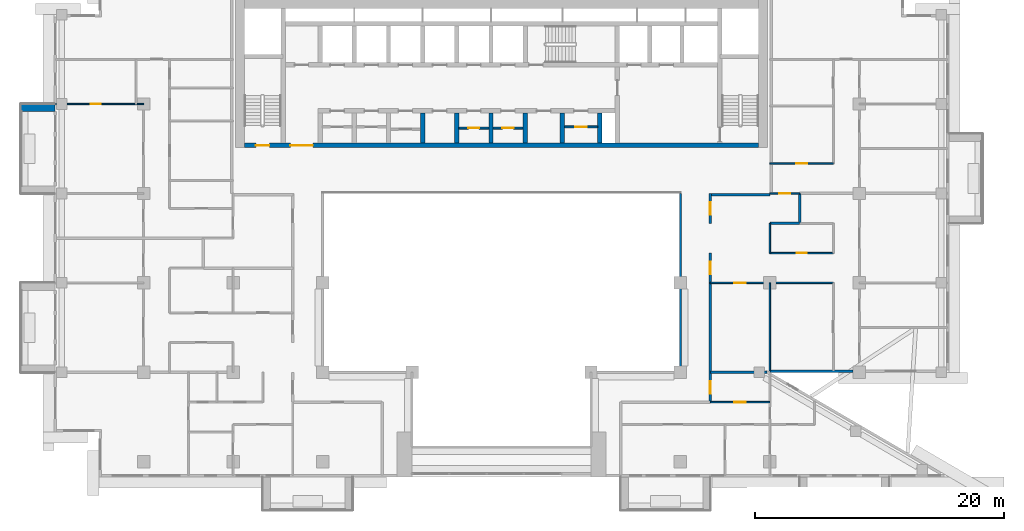
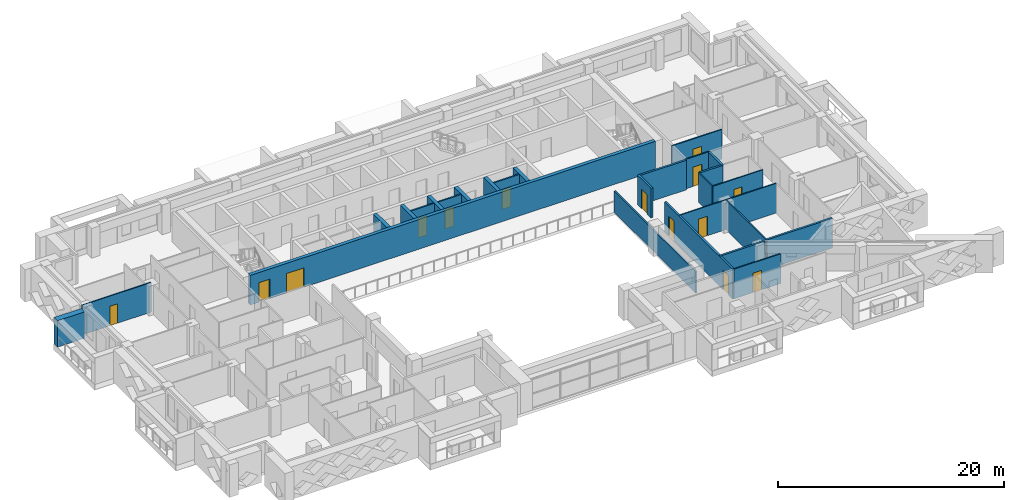
# One storey, part 9 of 20: 27 walls, 14 doors, 14 openings.
"""IFC4 building model written with IfcOpenShell, lengths in metres."""

from ifc_helpers import new_model, si_unit, direction, frame, frame_2d, origin, place, context, subcontext, project, spatial, rectangle, extrude, material, layer, layer_set, type_object, element, fill, save


model = new_model("IFC4")

# Units and contexts
model_context = context("Model", 3, precision=1e-05, world=origin(), true_north=direction((0.0, 1.0)))
body_context = subcontext(model_context, "Body", "Model", "MODEL_VIEW")
ifc_project = project(units=[si_unit("LENGTHUNIT", "METRE"), si_unit("AREAUNIT", "SQUARE_METRE"), si_unit("VOLUMEUNIT", "CUBIC_METRE"), si_unit("PLANEANGLEUNIT", "RADIAN"), si_unit("MASSUNIT", "GRAM", prefix="KILO")], contexts=[model_context])

# Site, building, storey
site_placement = place(None, origin())
site = spatial("IfcSite", under=ifc_project, at=site_placement, CompositionType="ELEMENT")
building_placement = place(site_placement, origin())
building = spatial("IfcBuilding", under=site, at=building_placement, Name="Saffron Iwan Residences", CompositionType="ELEMENT")
storey_placement = place(building_placement, frame((0.0, 0.0, 153.5)))
storey = spatial("IfcBuildingStorey", under=building, at=storey_placement, Name="L40", CompositionType="ELEMENT", Elevation=153.5)

# Walls
ifc_material_1 = material(Name="Fire-rated glazing", Category="glass")
ifc_layer_1 = layer(ifc_material_1, 0.14990234375)
ifc_layer_set_1 = layer_set([ifc_layer_1], Name="Fire-rated glazing")
wall_type_1 = type_object("IfcWallType", Name="Atrium glazed screen 150", PredefinedType="SOLIDWALL", material=ifc_layer_set_1)
wall_1_placement = place(storey_placement, frame((64.800048828125, 48.0, 0.0), z_axis=(0.0, 0.0, 1.0), x_axis=(0.0, 1.0, 0.0)))
element("IfcWall", 1, at=wall_1_placement, inside=storey, type_object=wall_type_1, Name="W-L40-SCREEN-v64.8-48", PredefinedType="SOLIDWALL", context=body_context, shape_type="SweptSolid", body=[
    extrude(rectangle(XDim=14.39990234375, YDim=0.14990234375, at=frame_2d((7.199951171875, 0.0))), origin(), (0.0, 0.0, 1.0), 2.300048828125),
])
ifc_material_2 = material(Name="Concrete C50/60 white painted", Category="concrete")
ifc_layer_2 = layer(ifc_material_2, 0.60009765625)
ifc_layer_set_2 = layer_set([ifc_layer_2], Name="Concrete C50/60 white painted")
wall_type_2 = type_object("IfcWallType", Name="BALCONY FIN 600", PredefinedType="SOLIDWALL", material=ifc_layer_set_2)
wall_2_placement = place(storey_placement, frame((14.47509765625, 69.300048828125, 0.0), z_axis=(0.0, 0.0, 1.0), x_axis=(-1.0, 0.0, 0.0)))
element("IfcWall", 2, at=wall_2_placement, inside=storey, type_object=wall_type_2, Name="Balcony fin L40 F8-0a", PredefinedType="SOLIDWALL", context=body_context, shape_type="SweptSolid", body=[
    extrude(rectangle(XDim=2.775146484375, YDim=0.60009765625, at=frame_2d((1.3876953125, 0.0))), origin(), (0.0, 0.0, 1.0), 2.85009765625),
])

# Wall, opening, door
ifc_material_3 = material(Name="Fire-rated plasterboard partition")
ifc_layer_3 = layer(ifc_material_3, 0.14990234375)
ifc_layer_set_3 = layer_set([ifc_layer_3], Name="Fire-rated plasterboard partition")
wall_type_3 = type_object("IfcWallType", Name="Core partition 150", PredefinedType="PARTITIONING", material=ifc_layer_set_3)
wall_3_placement = place(storey_placement, frame((46.97509765625, 67.66259765625, 0.0), z_axis=(0.0, 0.0, 1.0), x_axis=(1.0, 0.0, 0.0)))
wall_3 = element("IfcWall", 3, at=wall_3_placement, inside=storey, type_object=wall_type_3, Name="Core partition P04", PredefinedType="PARTITIONING", context=body_context, shape_type="SweptSolid", body=[
    extrude(rectangle(XDim=2.39990234375, YDim=0.14990234375, at=frame_2d((1.199951171875, 0.0))), origin(), (0.0, 0.0, 1.0), 3.199951171875),
])
opening_1_placement = place(wall_3_placement, frame((0.75, 0.0, 0.0)))
opening_1 = element("IfcOpeningElement", 4, at=opening_1_placement, cuts=wall_3, Name="Opening SB", PredefinedType="OPENING", context=body_context, shape_type="SweptSolid", body=[
    extrude(rectangle(XDim=0.89990234375, YDim=2.10009765625, at=frame_2d((0.449951171875, 1.050048828125))), frame((0.0, 0.0849609375, 0.0), z_axis=(0.0, -1.0, 0.0), x_axis=(1.0, 0.0, 0.0)), (0.0, 0.0, 1.0), 0.169921875),
])
ifc_material_4 = material(Name="Steel fire door", Category="steel")
door_type_1 = type_object("IfcDoorType", Name="Store door 900", OperationType="NOTDEFINED", PredefinedType="DOOR", material=ifc_material_4)
door_1_placement = place(opening_1_placement, origin())
door_1 = element("IfcDoor", 5, at=door_1_placement, inside=storey, type_object=door_type_1, Name="Door Spares store", OperationType="SINGLE_SWING_RIGHT", OverallHeight=2.10009765625, OverallWidth=0.89990234375, PredefinedType="DOOR", context=body_context, shape_type="SweptSolid", body=[
    extrude(rectangle(XDim=0.89990234375, YDim=2.10009765625, at=frame_2d((0.449951171875, 1.050048828125))), frame((0.0, 0.02490234375, 0.0), z_axis=(0.0, -1.0, 0.0), x_axis=(1.0, 0.0, 0.0)), (0.0, 0.0, 1.0), 0.050048828125),
])
fill(opening_1, door_1)

wall_4_placement = place(storey_placement, frame((49.72509765625, 67.66259765625, 0.0), z_axis=(0.0, 0.0, 1.0), x_axis=(1.0, 0.0, 0.0)))
wall_4 = element("IfcWall", 6, at=wall_4_placement, inside=storey, type_object=wall_type_3, Name="Core partition P05", PredefinedType="PARTITIONING", context=body_context, shape_type="SweptSolid", body=[
    extrude(rectangle(XDim=2.39990234375, YDim=0.14990234375, at=frame_2d((1.199951171875, 0.0))), origin(), (0.0, 0.0, 1.0), 3.199951171875),
])
opening_2_placement = place(wall_4_placement, frame((0.75, 0.0, 0.0)))
opening_2 = element("IfcOpeningElement", 7, at=opening_2_placement, cuts=wall_4, Name="Opening SB", PredefinedType="OPENING", context=body_context, shape_type="SweptSolid", body=[
    extrude(rectangle(XDim=0.89990234375, YDim=2.10009765625, at=frame_2d((0.449951171875, 1.050048828125))), frame((0.0, 0.0849609375, 0.0), z_axis=(0.0, -1.0, 0.0), x_axis=(1.0, 0.0, 0.0)), (0.0, 0.0, 1.0), 0.169921875),
])
door_2_placement = place(opening_2_placement, origin())
door_2 = element("IfcDoor", 8, at=door_2_placement, inside=storey, type_object=door_type_1, Name="Door Battery room", OperationType="SINGLE_SWING_LEFT", OverallHeight=2.10009765625, OverallWidth=0.89990234375, PredefinedType="DOOR", context=body_context, shape_type="SweptSolid", body=[
    extrude(rectangle(XDim=0.89990234375, YDim=2.10009765625, at=frame_2d((0.449951171875, 1.050048828125))), frame((0.0, 0.02490234375, 0.0), z_axis=(0.0, -1.0, 0.0), x_axis=(1.0, 0.0, 0.0)), (0.0, 0.0, 1.0), 0.050048828125),
])
fill(opening_2, door_2)

wall_5_placement = place(storey_placement, frame((55.47509765625, 67.759521484375, 0.0), z_axis=(0.0, 0.0, 1.0), x_axis=(1.0, 0.0, 0.0)))
wall_5 = element("IfcWall", 9, at=wall_5_placement, inside=storey, type_object=wall_type_3, Name="Core partition P06", PredefinedType="PARTITIONING", context=body_context, shape_type="SweptSolid", body=[
    extrude(rectangle(XDim=2.64990234375, YDim=0.14990234375, at=frame_2d((1.324951171875, 0.0))), origin(), (0.0, 0.0, 1.0), 3.199951171875),
])
opening_3_placement = place(wall_5_placement, frame((0.875, 0.0, 0.0)))
opening_3 = element("IfcOpeningElement", 10, at=opening_3_placement, cuts=wall_5, Name="Opening SB", PredefinedType="OPENING", context=body_context, shape_type="SweptSolid", body=[
    extrude(rectangle(XDim=0.89990234375, YDim=2.10009765625, at=frame_2d((0.449951171875, 1.050048828125))), frame((0.0, 0.0849609375, 0.0), z_axis=(0.0, -1.0, 0.0), x_axis=(1.0, 0.0, 0.0)), (0.0, 0.0, 1.0), 0.169921875),
])
door_3_placement = place(opening_3_placement, origin())
door_3 = element("IfcDoor", 11, at=door_3_placement, inside=storey, type_object=door_type_1, Name="Door Equipment store", OperationType="SINGLE_SWING_LEFT", OverallHeight=2.10009765625, OverallWidth=0.89990234375, PredefinedType="DOOR", context=body_context, shape_type="SweptSolid", body=[
    extrude(rectangle(XDim=0.89990234375, YDim=2.10009765625, at=frame_2d((0.449951171875, 1.050048828125))), frame((0.0, 0.02490234375, 0.0), z_axis=(0.0, -1.0, 0.0), x_axis=(1.0, 0.0, 0.0)), (0.0, 0.0, 1.0), 0.050048828125),
])
fill(opening_3, door_3)

# Walls
ifc_material_5 = material(Name="Concrete C40/50", Category="concrete")
ifc_layer_4 = layer(ifc_material_5, 0.199951171875)
ifc_layer_set_4 = layer_set([ifc_layer_4], Name="Concrete C40/50")
wall_type_4 = type_object("IfcWallType", Name="EXTERNAL WALL 200", PredefinedType="SOLIDWALL", material=ifc_layer_set_4)
wall_6_placement = place(storey_placement, frame((71.989990234375, 48.10009765625, 0.0), z_axis=(0.0, 0.0, 1.0), x_axis=(1.0, 0.0, 0.0)))
element("IfcWall", 12, at=wall_6_placement, inside=storey, type_object=wall_type_4, Name="External wall L40 F1.0", PredefinedType="SOLIDWALL", context=body_context, shape_type="SweptSolid", body=[
    extrude(rectangle(XDim=6.7099609375, YDim=0.199951171875, at=frame_2d((3.35498046875, 0.0))), origin(), (0.0, 0.0, 1.0), 3.199951171875),
])
ifc_material_6 = material(Name="Fire-rated gypsum board wall")
ifc_layer_5 = layer(ifc_material_6, 0.199951171875)
ifc_layer_set_5 = layer_set([ifc_layer_5], Name="Fire-rated gypsum board wall")
wall_type_5 = type_object("IfcWallType", Name="Flat demising wall 200", PredefinedType="SOLIDWALL", material=ifc_layer_set_5)
wall_7_placement = place(storey_placement, frame((67.199951171875, 48.0, 0.0), z_axis=(0.0, 0.0, 1.0), x_axis=(1.0, 0.0, 0.0)))
element("IfcWall", 13, at=wall_7_placement, inside=storey, type_object=wall_type_5, Name="W-L40-DEMISE-h48-67.2", PredefinedType="SOLIDWALL", context=body_context, shape_type="SweptSolid", body=[
    extrude(rectangle(XDim=4.552001953125, YDim=0.199951171875, at=frame_2d((2.27587890625, 0.0))), origin(), (0.0, 0.0, 1.0), 3.199951171875),
])
for number, where, z_axis, x_axis, name in (
    (14, (72.0, 60.0, 0.0), (0.0, 0.0, 1.0), (1.0, 0.0, 0.0), "W-L40-DEMISE-h60-72"),
    (15, (74.39990234375, 60.0, 0.0), (0.0, 0.0, 1.0), (0.0, 1.0, 0.0), "W-L40-DEMISE-v74.4-60"),
):
    element("IfcWall", number, at=place(storey_placement, frame(where, z_axis=z_axis, x_axis=x_axis)), inside=storey, type_object=wall_type_5, Name=name, PredefinedType="SOLIDWALL", context=body_context, shape_type="SweptSolid", body=[
        extrude(rectangle(XDim=2.39990234375, YDim=0.199951171875, at=frame_2d((1.199951171875, 0.0))), origin(), (0.0, 0.0, 1.0), 3.199951171875),
    ])

# Wall, opening, door
ifc_material_7 = material(Name="Gypsum board partition")
ifc_layer_6 = layer(ifc_material_7, 0.1201171875)
ifc_layer_set_6 = layer_set([ifc_layer_6], Name="Gypsum board partition")
wall_type_6 = type_object("IfcWallType", Name="Flat partition 120", PredefinedType="PARTITIONING", material=ifc_layer_set_6)
wall_8_placement = place(storey_placement, frame((67.199951171875, 45.60009765625, 0.0), z_axis=(0.0, 0.0, 1.0), x_axis=(1.0, 0.0, 0.0)))
wall_8 = element("IfcWall", 16, at=wall_8_placement, inside=storey, type_object=wall_type_6, Name="W-L40-PART-h45.6-67.2", PredefinedType="PARTITIONING", context=body_context, shape_type="SweptSolid", body=[
    extrude(rectangle(XDim=4.800048828125, YDim=0.1201171875, at=frame_2d((2.39990234375, 0.0))), origin(), (0.0, 0.0, 1.0), 3.199951171875),
])
opening_4_placement = place(wall_8_placement, frame((1.949951171875, 0.0, 0.0)))
opening_4 = element("IfcOpeningElement", 17, at=opening_4_placement, cuts=wall_8, Name="Opening FD2", PredefinedType="OPENING", context=body_context, shape_type="SweptSolid", body=[
    extrude(rectangle(XDim=0.89990234375, YDim=2.10009765625, at=frame_2d((0.449951171875, 1.050048828125))), frame((0.0, 0.070068359375, 0.0), z_axis=(0.0, -1.0, 0.0), x_axis=(1.0, 0.0, 0.0)), (0.0, 0.0, 1.0), 0.14013671875),
])
ifc_material_8 = material(Name="Timber door", Category="wood")
door_type_2 = type_object("IfcDoorType", Name="Flat door 900", OperationType="NOTDEFINED", PredefinedType="DOOR", material=ifc_material_8)
door_4_placement = place(opening_4_placement, origin())
door_4 = element("IfcDoor", 18, at=door_4_placement, inside=storey, type_object=door_type_2, Name="Door L40-040", OperationType="SINGLE_SWING_LEFT", OverallHeight=2.10009765625, OverallWidth=0.89990234375, PredefinedType="DOOR", context=body_context, shape_type="SweptSolid", body=[
    extrude(rectangle(XDim=0.89990234375, YDim=2.10009765625, at=frame_2d((0.449951171875, 1.050048828125))), frame((0.0, 0.02490234375, 0.0), z_axis=(0.0, -1.0, 0.0), x_axis=(1.0, 0.0, 0.0)), (0.0, 0.0, 1.0), 0.050048828125),
])
fill(opening_4, door_4)

wall_9_placement = place(storey_placement, frame((67.199951171875, 55.199951171875, 0.0), z_axis=(0.0, 0.0, 1.0), x_axis=(1.0, 0.0, 0.0)))
wall_9 = element("IfcWall", 19, at=wall_9_placement, inside=storey, type_object=wall_type_6, Name="W-L40-PART-h55.2-67.2", PredefinedType="PARTITIONING", context=body_context, shape_type="SweptSolid", body=[
    extrude(rectangle(XDim=9.900146484375, YDim=0.1201171875, at=frame_2d((4.9501953125, 0.0))), origin(), (0.0, 0.0, 1.0), 3.199951171875),
])
opening_5_placement = place(wall_9_placement, frame((1.949951171875, 0.0, 0.0)))
opening_5 = element("IfcOpeningElement", 20, at=opening_5_placement, cuts=wall_9, Name="Opening FD2", PredefinedType="OPENING", context=body_context, shape_type="SweptSolid", body=[
    extrude(rectangle(XDim=0.89990234375, YDim=2.10009765625, at=frame_2d((0.449951171875, 1.050048828125))), frame((0.0, 0.070068359375, 0.0), z_axis=(0.0, -1.0, 0.0), x_axis=(1.0, 0.0, 0.0)), (0.0, 0.0, 1.0), 0.14013671875),
])
door_5_placement = place(opening_5_placement, origin())
door_5 = element("IfcDoor", 21, at=door_5_placement, inside=storey, type_object=door_type_2, Name="Door L40-020", OperationType="SINGLE_SWING_LEFT", OverallHeight=2.10009765625, OverallWidth=0.89990234375, PredefinedType="DOOR", context=body_context, shape_type="SweptSolid", body=[
    extrude(rectangle(XDim=0.89990234375, YDim=2.10009765625, at=frame_2d((0.449951171875, 1.050048828125))), frame((0.0, 0.02490234375, 0.0), z_axis=(0.0, -1.0, 0.0), x_axis=(1.0, 0.0, 0.0)), (0.0, 0.0, 1.0), 0.050048828125),
])
fill(opening_5, door_5)

wall_10_placement = place(storey_placement, frame((72.0, 57.60009765625, 0.0), z_axis=(0.0, 0.0, 1.0), x_axis=(1.0, 0.0, 0.0)))
wall_10 = element("IfcWall", 22, at=wall_10_placement, inside=storey, type_object=wall_type_6, Name="W-L40-PART-h57.6-72", PredefinedType="PARTITIONING", context=body_context, shape_type="SweptSolid", body=[
    extrude(rectangle(XDim=5.10009765625, YDim=0.1201171875, at=frame_2d((2.550048828125, 0.0))), origin(), (0.0, 0.0, 1.0), 3.199951171875),
])
opening_6_placement = place(wall_10_placement, frame((2.14990234375, 0.0, 0.0)))
opening_6 = element("IfcOpeningElement", 23, at=opening_6_placement, cuts=wall_10, Name="Opening FD3", PredefinedType="OPENING", context=body_context, shape_type="SweptSolid", body=[
    extrude(rectangle(XDim=0.800048828125, YDim=2.10009765625, at=frame_2d((0.39990234375, 1.050048828125))), frame((0.0, 0.070068359375, 0.0), z_axis=(0.0, -1.0, 0.0), x_axis=(1.0, 0.0, 0.0)), (0.0, 0.0, 1.0), 0.14013671875),
])
door_type_3 = type_object("IfcDoorType", Name="Bathroom door 800", OperationType="NOTDEFINED", PredefinedType="DOOR", material=ifc_material_8)
door_6_placement = place(opening_6_placement, origin())
door_6 = element("IfcDoor", 24, at=door_6_placement, inside=storey, type_object=door_type_3, Name="Door L40-019", OperationType="SINGLE_SWING_LEFT", OverallHeight=2.10009765625, OverallWidth=0.800048828125, PredefinedType="DOOR", context=body_context, shape_type="SweptSolid", body=[
    extrude(rectangle(XDim=0.800048828125, YDim=2.10009765625, at=frame_2d((0.39990234375, 1.050048828125))), frame((0.0, 0.02490234375, 0.0), z_axis=(0.0, -1.0, 0.0), x_axis=(1.0, 0.0, 0.0)), (0.0, 0.0, 1.0), 0.050048828125),
])
fill(opening_6, door_6)

wall_11_placement = place(storey_placement, frame((72.0, 62.39990234375, 0.0), z_axis=(0.0, 0.0, 1.0), x_axis=(1.0, 0.0, 0.0)))
wall_11 = element("IfcWall", 25, at=wall_11_placement, inside=storey, type_object=wall_type_6, Name="W-L40-PART-h62.4-72", PredefinedType="PARTITIONING", context=body_context, shape_type="SweptSolid", body=[
    extrude(rectangle(XDim=2.39990234375, YDim=0.1201171875, at=frame_2d((1.199951171875, 0.0))), origin(), (0.0, 0.0, 1.0), 3.199951171875),
])
opening_7_placement = place(wall_11_placement, frame((0.75, 0.0, 0.0)))
opening_7 = element("IfcOpeningElement", 26, at=opening_7_placement, cuts=wall_11, Name="Opening FD2", PredefinedType="OPENING", context=body_context, shape_type="SweptSolid", body=[
    extrude(rectangle(XDim=0.89990234375, YDim=2.10009765625, at=frame_2d((0.449951171875, 1.050048828125))), frame((0.0, 0.070068359375, 0.0), z_axis=(0.0, -1.0, 0.0), x_axis=(1.0, 0.0, 0.0)), (0.0, 0.0, 1.0), 0.14013671875),
])
door_7_placement = place(opening_7_placement, origin())
door_7 = element("IfcDoor", 27, at=door_7_placement, inside=storey, type_object=door_type_2, Name="Door L40-031", OperationType="SINGLE_SWING_LEFT", OverallHeight=2.10009765625, OverallWidth=0.89990234375, PredefinedType="DOOR", context=body_context, shape_type="SweptSolid", body=[
    extrude(rectangle(XDim=0.89990234375, YDim=2.10009765625, at=frame_2d((0.449951171875, 1.050048828125))), frame((0.0, 0.02490234375, 0.0), z_axis=(0.0, -1.0, 0.0), x_axis=(1.0, 0.0, 0.0)), (0.0, 0.0, 1.0), 0.050048828125),
])
fill(opening_7, door_7)

wall_12_placement = place(storey_placement, frame((72.0, 64.800048828125, 0.0), z_axis=(0.0, 0.0, 1.0), x_axis=(1.0, 0.0, 0.0)))
wall_12 = element("IfcWall", 28, at=wall_12_placement, inside=storey, type_object=wall_type_6, Name="W-L40-PART-h64.8-72", PredefinedType="PARTITIONING", context=body_context, shape_type="SweptSolid", body=[
    extrude(rectangle(XDim=5.10009765625, YDim=0.1201171875, at=frame_2d((2.550048828125, 0.0))), origin(), (0.0, 0.0, 1.0), 3.199951171875),
])
opening_8_placement = place(wall_12_placement, frame((2.10009765625, 0.0, 0.0)))
opening_8 = element("IfcOpeningElement", 29, at=opening_8_placement, cuts=wall_12, Name="Opening FD2", PredefinedType="OPENING", context=body_context, shape_type="SweptSolid", body=[
    extrude(rectangle(XDim=0.89990234375, YDim=2.10009765625, at=frame_2d((0.449951171875, 1.050048828125))), frame((0.0, 0.070068359375, 0.0), z_axis=(0.0, -1.0, 0.0), x_axis=(1.0, 0.0, 0.0)), (0.0, 0.0, 1.0), 0.14013671875),
])
door_8_placement = place(opening_8_placement, origin())
door_8 = element("IfcDoor", 30, at=door_8_placement, inside=storey, type_object=door_type_2, Name="Door L40-037", OperationType="SINGLE_SWING_LEFT", OverallHeight=2.10009765625, OverallWidth=0.89990234375, PredefinedType="DOOR", context=body_context, shape_type="SweptSolid", body=[
    extrude(rectangle(XDim=0.89990234375, YDim=2.10009765625, at=frame_2d((0.449951171875, 1.050048828125))), frame((0.0, 0.02490234375, 0.0), z_axis=(0.0, -1.0, 0.0), x_axis=(1.0, 0.0, 0.0)), (0.0, 0.0, 1.0), 0.050048828125),
])
fill(opening_8, door_8)

wall_13_placement = place(storey_placement, frame((14.52490234375, 69.60009765625, 0.0), z_axis=(0.0, 0.0, 1.0), x_axis=(1.0, 0.0, 0.0)))
wall_13 = element("IfcWall", 31, at=wall_13_placement, inside=storey, type_object=wall_type_6, Name="W-L40-PART-h69.6-14.525", PredefinedType="PARTITIONING", context=body_context, shape_type="SweptSolid", body=[
    extrude(rectangle(XDim=7.0751953125, YDim=0.1201171875, at=frame_2d((3.53759765625, 0.0))), origin(), (0.0, 0.0, 1.0), 3.199951171875),
])
opening_9_placement = place(wall_13_placement, frame((2.83740234375, 0.0, 0.0)))
opening_9 = element("IfcOpeningElement", 32, at=opening_9_placement, cuts=wall_13, Name="Opening FD3", PredefinedType="OPENING", context=body_context, shape_type="SweptSolid", body=[
    extrude(rectangle(XDim=0.800048828125, YDim=2.10009765625, at=frame_2d((0.39990234375, 1.050048828125))), frame((0.0, 0.070068359375, 0.0), z_axis=(0.0, -1.0, 0.0), x_axis=(1.0, 0.0, 0.0)), (0.0, 0.0, 1.0), 0.14013671875),
])
door_9_placement = place(opening_9_placement, origin())
door_9 = element("IfcDoor", 33, at=door_9_placement, inside=storey, type_object=door_type_3, Name="Door L40-025", OperationType="SINGLE_SWING_LEFT", OverallHeight=2.10009765625, OverallWidth=0.800048828125, PredefinedType="DOOR", context=body_context, shape_type="SweptSolid", body=[
    extrude(rectangle(XDim=0.800048828125, YDim=2.10009765625, at=frame_2d((0.39990234375, 1.050048828125))), frame((0.0, 0.02490234375, 0.0), z_axis=(0.0, -1.0, 0.0), x_axis=(1.0, 0.0, 0.0)), (0.0, 0.0, 1.0), 0.050048828125),
])
fill(opening_9, door_9)

# Walls
wall_14_placement = place(storey_placement, frame((72.0, 48.125, 0.0), z_axis=(0.0, 0.0, 1.0), x_axis=(0.0, 1.0, 0.0)))
element("IfcWall", 34, at=wall_14_placement, inside=storey, type_object=wall_type_6, Name="W-L40-PART-v72-48.125", PredefinedType="PARTITIONING", context=body_context, shape_type="SweptSolid", body=[
    extrude(rectangle(XDim=7.074951171875, YDim=0.1201171875, at=frame_2d((3.53759765625, 0.0))), origin(), (0.0, 0.0, 1.0), 3.199951171875),
])
wall_15_placement = place(storey_placement, frame((72.0, 57.60009765625, 0.0), z_axis=(0.0, 0.0, 1.0), x_axis=(0.0, 1.0, 0.0)))
element("IfcWall", 35, at=wall_15_placement, inside=storey, type_object=wall_type_6, Name="W-L40-PART-v72-57.6", PredefinedType="PARTITIONING", context=body_context, shape_type="SweptSolid", body=[
    extrude(rectangle(XDim=2.39990234375, YDim=0.1201171875, at=frame_2d((1.199951171875, 0.0))), origin(), (0.0, 0.0, 1.0), 3.199951171875),
])
ifc_layer_7 = layer(ifc_material_6, 0.199951171875)
ifc_layer_set_7 = layer_set([ifc_layer_7], Name="Fire-rated gypsum board wall")
wall_type_7 = type_object("IfcWallType", Name="Gallery wall 200", PredefinedType="SOLIDWALL", material=ifc_layer_set_7)
wall_16_placement = place(storey_placement, frame((67.199951171875, 62.300048828125, 0.0), z_axis=(0.0, 0.0, 1.0), x_axis=(1.0, 0.0, 0.0)))
element("IfcWall", 36, at=wall_16_placement, inside=storey, type_object=wall_type_7, Name="W-L40-CORR-h62.4-67.2", PredefinedType="SOLIDWALL", context=body_context, shape_type="SweptSolid", body=[
    extrude(rectangle(XDim=4.800048828125, YDim=0.199951171875, at=frame_2d((2.39990234375, 0.0))), origin(), (0.0, 0.0, 1.0), 3.199951171875),
])

# Wall, openings, doors
wall_17_placement = place(storey_placement, frame((67.199951171875, 45.60009765625, 0.0), z_axis=(0.0, 0.0, 1.0), x_axis=(0.0, 1.0, 0.0)))
wall_17 = element("IfcWall", 37, at=wall_17_placement, inside=storey, type_object=wall_type_7, Name="W-L40-CORR-v67.2-45.6", PredefinedType="SOLIDWALL", context=body_context, shape_type="SweptSolid", body=[
    extrude(rectangle(XDim=12.0, YDim=0.199951171875, at=frame_2d((6.0, 0.0))), origin(), (0.0, 0.0, 1.0), 3.199951171875),
])
opening_10_placement = place(wall_17_placement, frame((10.300048828125, 0.0, 0.0)))
opening_10 = element("IfcOpeningElement", 38, at=opening_10_placement, cuts=wall_17, Name="Opening FD1", PredefinedType="OPENING", context=body_context, shape_type="SweptSolid", body=[
    extrude(rectangle(XDim=1.0, YDim=2.10009765625, at=frame_2d((0.5, 1.050048828125))), frame((0.0, 0.10986328125, 0.0), z_axis=(0.0, -1.0, 0.0), x_axis=(1.0, 0.0, 0.0)), (0.0, 0.0, 1.0), 0.219970703125),
])
opening_11_placement = place(wall_17_placement, frame((0.699951171875, 0.0, 0.0)))
opening_11 = element("IfcOpeningElement", 39, at=opening_11_placement, cuts=wall_17, Name="Opening FD5", PredefinedType="OPENING", context=body_context, shape_type="SweptSolid", body=[
    extrude(rectangle(XDim=1.0, YDim=2.10009765625, at=frame_2d((0.5, 1.050048828125))), frame((0.0, 0.10986328125, 0.0), z_axis=(0.0, -1.0, 0.0), x_axis=(1.0, 0.0, 0.0)), (0.0, 0.0, 1.0), 0.219970703125),
])
ifc_material_9 = material(Name="Fire-rated timber door", Category="wood")
door_type_4 = type_object("IfcDoorType", Name="FD30S flat entrance door 1000", OperationType="NOTDEFINED", PredefinedType="DOOR", material=ifc_material_9)
door_10_placement = place(opening_10_placement, origin())
door_10 = element("IfcDoor", 40, at=door_10_placement, inside=storey, type_object=door_type_4, Name="Door L40-014", OperationType="SINGLE_SWING_LEFT", OverallHeight=2.10009765625, OverallWidth=1.0, PredefinedType="DOOR", context=body_context, shape_type="SweptSolid", body=[
    extrude(rectangle(XDim=1.0, YDim=2.10009765625, at=frame_2d((0.5, 1.050048828125))), frame((0.0, 0.02490234375, 0.0), z_axis=(0.0, -1.0, 0.0), x_axis=(1.0, 0.0, 0.0)), (0.0, 0.0, 1.0), 0.050048828125),
])
fill(opening_10, door_10)
door_type_5 = type_object("IfcDoorType", Name="Lobby door 1000", OperationType="NOTDEFINED", PredefinedType="DOOR", material=ifc_material_9)
door_11_placement = place(opening_11_placement, origin())
door_11 = element("IfcDoor", 41, at=door_11_placement, inside=storey, type_object=door_type_5, Name="Door L40-041", OperationType="SINGLE_SWING_LEFT", OverallHeight=2.10009765625, OverallWidth=1.0, PredefinedType="DOOR", context=body_context, shape_type="SweptSolid", body=[
    extrude(rectangle(XDim=1.0, YDim=2.10009765625, at=frame_2d((0.5, 1.050048828125))), frame((0.0, 0.02490234375, 0.0), z_axis=(0.0, -1.0, 0.0), x_axis=(1.0, 0.0, 0.0)), (0.0, 0.0, 1.0), 0.050048828125),
])
fill(opening_11, door_11)

# Wall, opening, door
wall_18_placement = place(storey_placement, frame((67.199951171875, 60.0, 0.0), z_axis=(0.0, 0.0, 1.0), x_axis=(0.0, 1.0, 0.0)))
wall_18 = element("IfcWall", 42, at=wall_18_placement, inside=storey, type_object=wall_type_7, Name="W-L40-CORR-v67.2-60", PredefinedType="SOLIDWALL", context=body_context, shape_type="SweptSolid", body=[
    extrude(rectangle(XDim=2.39990234375, YDim=0.199951171875, at=frame_2d((1.199951171875, 0.0))), origin(), (0.0, 0.0, 1.0), 3.199951171875),
])
opening_12_placement = place(wall_18_placement, frame((0.699951171875, 0.0, 0.0)))
opening_12 = element("IfcOpeningElement", 43, at=opening_12_placement, cuts=wall_18, Name="Opening FD5", PredefinedType="OPENING", context=body_context, shape_type="SweptSolid", body=[
    extrude(rectangle(XDim=1.0, YDim=2.10009765625, at=frame_2d((0.5, 1.050048828125))), frame((0.0, 0.10986328125, 0.0), z_axis=(0.0, -1.0, 0.0), x_axis=(1.0, 0.0, 0.0)), (0.0, 0.0, 1.0), 0.219970703125),
])
door_12_placement = place(opening_12_placement, origin())
door_12 = element("IfcDoor", 44, at=door_12_placement, inside=storey, type_object=door_type_5, Name="Door L40-032", OperationType="SINGLE_SWING_LEFT", OverallHeight=2.10009765625, OverallWidth=1.0, PredefinedType="DOOR", context=body_context, shape_type="SweptSolid", body=[
    extrude(rectangle(XDim=1.0, YDim=2.10009765625, at=frame_2d((0.5, 1.050048828125))), frame((0.0, 0.02490234375, 0.0), z_axis=(0.0, -1.0, 0.0), x_axis=(1.0, 0.0, 0.0)), (0.0, 0.0, 1.0), 0.050048828125),
])
fill(opening_12, door_12)

# Wall, openings, doors
ifc_material_10 = material(Name="Concrete C50/60", Category="concrete")
ifc_layer_8 = layer(ifc_material_10, 0.35009765625)
ifc_layer_set_8 = layer_set([ifc_layer_8], Name="Concrete C50/60")
wall_type_8 = type_object("IfcWallType", Name="WALL CORE 350 C50/60 3200 HIGH", PredefinedType="SHEAR", material=ifc_layer_set_8)
wall_19_placement = place(storey_placement, frame((29.699951171875, 66.27490234375, 0.0), z_axis=(0.0, 0.0, 1.0), x_axis=(1.0, 0.0, 0.0)))
wall_19 = element("IfcWall", 45, at=wall_19_placement, inside=storey, type_object=wall_type_8, Name="Core wall", PredefinedType="SHEAR", context=body_context, shape_type="SweptSolid", body=[
    extrude(rectangle(XDim=41.400146484375, YDim=0.35009765625, at=frame_2d((20.7001953125, 0.0))), origin(), (0.0, 0.0, 1.0), 3.199951171875),
])
opening_13_placement = place(wall_19_placement, frame((0.925048828125, 0.0, 0.0)))
opening_13 = element("IfcOpeningElement", 46, at=opening_13_placement, cuts=wall_19, Name="Opening SD", PredefinedType="OPENING", context=body_context, shape_type="SweptSolid", body=[
    extrude(rectangle(XDim=1.10009765625, YDim=2.10009765625, at=frame_2d((0.550048828125, 1.050048828125))), frame((0.0, 0.18505859375, 0.0), z_axis=(0.0, -1.0, 0.0), x_axis=(1.0, 0.0, 0.0)), (0.0, 0.0, 1.0), 0.3701171875),
])
opening_14_placement = place(wall_19_placement, frame((3.71240234375, 0.0, 0.0)))
opening_14 = element("IfcOpeningElement", 47, at=opening_14_placement, cuts=wall_19, Name="Opening DD", PredefinedType="OPENING", context=body_context, shape_type="SweptSolid", body=[
    extrude(rectangle(XDim=1.800048828125, YDim=2.10009765625, at=frame_2d((0.89990234375, 1.050048828125))), frame((0.0, 0.18505859375, 0.0), z_axis=(0.0, -1.0, 0.0), x_axis=(1.0, 0.0, 0.0)), (0.0, 0.0, 1.0), 0.3701171875),
])
door_type_6 = type_object("IfcDoorType", Name="Lobby double door 1800", OperationType="DOUBLE_DOOR_SINGLE_SWING", PredefinedType="DOOR", material=ifc_material_4)
door_13_placement = place(opening_14_placement, origin())
door_13 = element("IfcDoor", 48, at=door_13_placement, inside=storey, type_object=door_type_6, Name="Lobby doors", OperationType="DOUBLE_DOOR_SINGLE_SWING", OverallHeight=2.10009765625, OverallWidth=1.800048828125, PredefinedType="DOOR", context=body_context, shape_type="SweptSolid", body=[
    extrude(rectangle(XDim=1.800048828125, YDim=2.10009765625, at=frame_2d((0.89990234375, 1.050048828125))), frame((0.0, 0.02490234375, 0.0), z_axis=(0.0, -1.0, 0.0), x_axis=(1.0, 0.0, 0.0)), (0.0, 0.0, 1.0), 0.050048828125),
])
fill(opening_14, door_13)
door_type_7 = type_object("IfcDoorType", Name="Stair door 1100", OperationType="NOTDEFINED", PredefinedType="DOOR", material=ifc_material_4)
door_14_placement = place(opening_13_placement, origin())
door_14 = element("IfcDoor", 49, at=door_14_placement, inside=storey, type_object=door_type_7, Name="Stair door ST-W", OperationType="SINGLE_SWING_LEFT", OverallHeight=2.10009765625, OverallWidth=1.10009765625, PredefinedType="DOOR", context=body_context, shape_type="SweptSolid", body=[
    extrude(rectangle(XDim=1.10009765625, YDim=2.10009765625, at=frame_2d((0.550048828125, 1.050048828125))), frame((0.0, 0.02490234375, 0.0), z_axis=(0.0, -1.0, 0.0), x_axis=(1.0, 0.0, 0.0)), (0.0, 0.0, 1.0), 0.050048828125),
])
fill(opening_13, door_14)

# Walls
for number, where, z_axis, x_axis, name in (
    (50, (44.050048828125, 66.449951171875, 0.0), (0.0, 0.0, 1.0), (0.0, 1.0, 0.0), "Core wall"),
    (51, (46.800048828125, 66.449951171875, 0.0), (0.0, 0.0, 1.0), (0.0, 1.0, 0.0), "Core wall"),
    (52, (49.550048828125, 66.449951171875, 0.0), (0.0, 0.0, 1.0), (0.0, 1.0, 0.0), "Core wall"),
    (53, (52.300048828125, 66.449951171875, 0.0), (0.0, 0.0, 1.0), (0.0, 1.0, 0.0), "Core wall"),
    (54, (55.300048828125, 66.449951171875, 0.0), (0.0, 0.0, 1.0), (0.0, 1.0, 0.0), "Core wall"),
    (55, (58.300048828125, 66.449951171875, 0.0), (0.0, 0.0, 1.0), (0.0, 1.0, 0.0), "Core wall"),
):
    element("IfcWall", number, at=place(storey_placement, frame(where, z_axis=z_axis, x_axis=x_axis)), inside=storey, type_object=wall_type_8, Name=name, PredefinedType="SHEAR", context=body_context, shape_type="SweptSolid", body=[
        extrude(rectangle(XDim=2.425048828125, YDim=0.35009765625, at=frame_2d((1.21240234375, 0.0))), origin(), (0.0, 0.0, 1.0), 3.199951171875),
    ])

save(model, "model.ifc")
